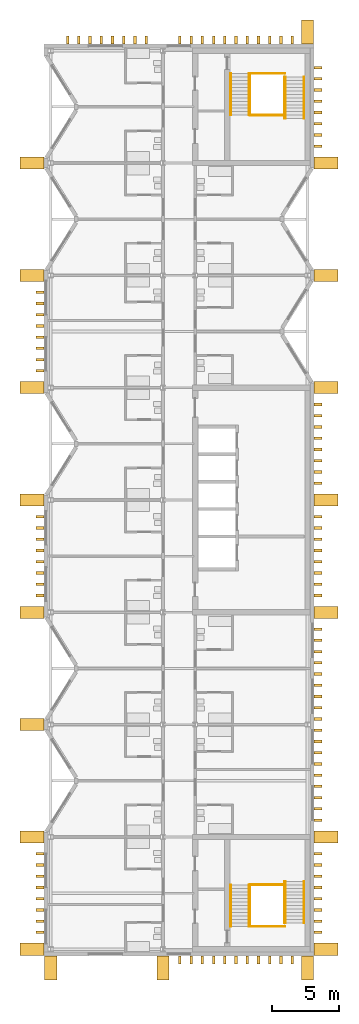
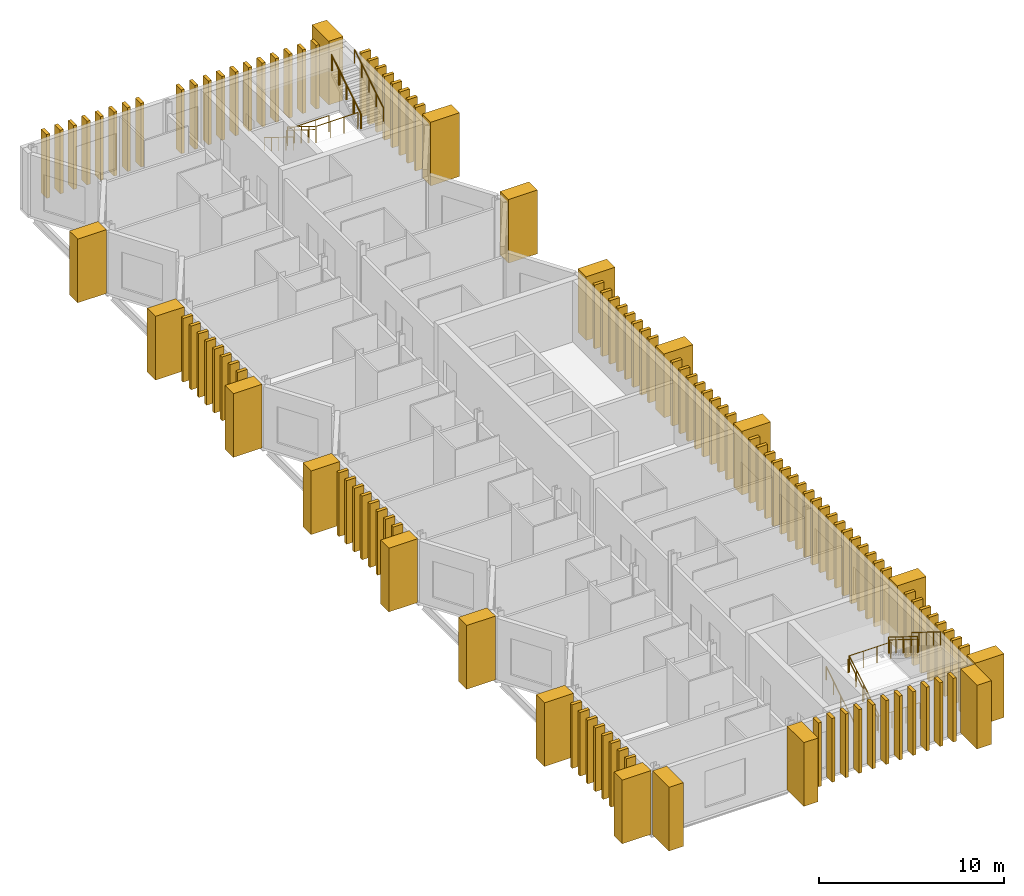
# One storey, part 10 of 11: 123 coverings, 16 railings.
"""IFC4 building model written with IfcOpenShell, lengths in metres."""

import ifcopenshell
import ifcopenshell.guid

model = None  # the IFC model being written
_history = None  # IfcOwnerHistory: only IFC2X3 demands one
_inside = {}  # id of a spatial element -> (the spatial element, [elements in it])
_under = {}  # id of a project, library or spatial element -> (it, [spatial elements below it])
_declared = {}  # id of a project -> (the project, [libraries it declares])
_typed = {}  # id of a type object -> (the type object, [elements of that type])
_made_of = {}  # id of a material, layer set ... -> (it, [elements and type objects made of it])


def new_model(schema):
    """Start an empty IFC model of exactly this schema.

    Asked for "IFC4X3", IfcOpenShell would pick the latest addendum, in which some entities
    have other attributes; the version numbers below select the first issue.
    IFC2X3 requires an IfcOwnerHistory on every rooted entity: one is made here for all.
    """
    global model, _history
    if schema == "IFC4X3":
        model = ifcopenshell.file(schema_version=(4, 3, 0, 0))
    else:
        model = ifcopenshell.file(schema=schema)
    _inside.clear()
    _under.clear()
    _declared.clear()
    _typed.clear()
    _made_of.clear()
    _history = None
    if model.schema == "IFC2X3":
        org = make("IfcOrganization", Name="unknown")
        user = make(
            "IfcPersonAndOrganization",
            ThePerson=make("IfcPerson", FamilyName="unknown"),
            TheOrganization=org,
        )
        app = make(
            "IfcApplication",
            ApplicationDeveloper=org,
            Version="unknown",
            ApplicationFullName="unknown",
            ApplicationIdentifier="unknown",
        )
        _history = make(
            "IfcOwnerHistory",
            OwningUser=user,
            OwningApplication=app,
            ChangeAction="ADDED",
            CreationDate=0,
        )
    return model


def make(cls, **values):
    """One entity of the class cls with the attributes given. An attribute that is None is left unset."""
    return model.create_entity(
        cls, **{name: value for name, value in values.items() if value is not None}
    )


def rooted(cls, **values):
    """An entity with a GlobalId (a new one), such as an element, a storey or a relation."""
    return make(cls, GlobalId=ifcopenshell.guid.new(), OwnerHistory=_history, **values)


def si_unit(unit_type, name, prefix=None):
    """IfcSIUnit, for example si_unit("LENGTHUNIT", "METRE", prefix="MILLI")."""
    return make("IfcSIUnit", UnitType=unit_type, Prefix=prefix, Name=name)


def assignment(units):
    """IfcUnitAssignment: the units of a project."""
    return None if units is None else make("IfcUnitAssignment", Units=units)


def point(xyz):
    """IfcCartesianPoint."""
    return None if xyz is None else make("IfcCartesianPoint", Coordinates=xyz)


def direction(xyz):
    """IfcDirection."""
    return None if xyz is None else make("IfcDirection", DirectionRatios=xyz)


def frame(location, z_axis=None, x_axis=None):
    """IfcAxis2Placement3D, a coordinate frame: its origin and axes. An axis left out is left unset."""
    return make(
        "IfcAxis2Placement3D",
        Location=point(location),
        Axis=direction(z_axis),
        RefDirection=direction(x_axis),
    )


def frame_2d(location, x_axis=None):
    """IfcAxis2Placement2D, a coordinate frame in the plane: its origin and x axis."""
    return make(
        "IfcAxis2Placement2D", Location=point(location), RefDirection=direction(x_axis)
    )


def origin():
    """The frame at (0, 0, 0) with its axes left unset."""
    return frame((0.0, 0.0, 0.0))


def origin_2d():
    """The frame at (0, 0) in the plane with its x axis left unset."""
    return frame_2d((0.0, 0.0))


def place(relative_to, where):
    """IfcLocalPlacement: puts the frame where relative to a parent placement (None: the world)."""
    return make(
        "IfcLocalPlacement", PlacementRelTo=relative_to, RelativePlacement=where
    )


def context(
    kind, dimensions, precision=None, world=None, true_north=None, identifier=None
):
    """IfcGeometricRepresentationContext, for example the 3D "Model" context."""
    return make(
        "IfcGeometricRepresentationContext",
        ContextIdentifier=identifier,
        ContextType=kind,
        CoordinateSpaceDimension=dimensions,
        Precision=precision,
        WorldCoordinateSystem=world,
        TrueNorth=true_north,
    )


def subcontext(parent, identifier, kind, view, scale=None):
    """IfcGeometricRepresentationSubContext, for example "Body" below "Model"."""
    return make(
        "IfcGeometricRepresentationSubContext",
        ContextIdentifier=identifier,
        ContextType=kind,
        ParentContext=parent,
        TargetScale=scale,
        TargetView=view,
    )


def project(units=None, contexts=None):
    """IfcProject with its units and contexts."""
    return rooted(
        "IfcProject",
        Name="project",
        RepresentationContexts=contexts,
        UnitsInContext=assignment(units),
    )


def spatial(cls, under=None, at=None, **own):
    """A site, building, storey or space (cls), placed at a placement, below another one or the project."""
    s = rooted(cls, ObjectPlacement=at, **own)
    if under is not None:
        _under.setdefault(under.id(), (under, []))[1].append(s)
    return s


def profile(cls, at=None, kind="AREA", **sizes):
    """A parametric profile (cls). Its sizes go by their IFC names, for example OverallWidth=200.0."""
    return make(cls, ProfileType=kind, Position=at, **sizes)


def rectangle(**sizes):
    """IfcRectangleProfileDef."""
    return profile("IfcRectangleProfileDef", **sizes)


def circle(**sizes):
    """IfcCircleProfileDef."""
    return profile("IfcCircleProfileDef", **sizes)


def extrude(swept, where, along, depth):
    """IfcExtrudedAreaSolid: the profile swept, set in the frame where, extruded along a direction by depth."""
    return make(
        "IfcExtrudedAreaSolid",
        SweptArea=swept,
        Position=where,
        ExtrudedDirection=direction(along),
        Depth=depth,
    )


def shape(context_of_items, identifier, shape_type, items):
    """IfcShapeRepresentation: the items that make up one representation, for example the "Body"."""
    return make(
        "IfcShapeRepresentation",
        ContextOfItems=context_of_items,
        RepresentationIdentifier=identifier,
        RepresentationType=shape_type,
        Items=items,
    )


def material(Name=None, Category=None):
    """IfcMaterial."""
    return make("IfcMaterial", Name=Name, Category=Category)


def made_of(thing, what):
    """Note that an element or type object is made of a material, layer set ...; save() writes the relation."""
    if what is not None:
        _made_of.setdefault(what.id(), (what, []))[1].append(thing)
    return thing


def type_object(cls, material=None, **own):
    """A type object (cls), such as IfcWallType, which elements share."""
    return made_of(rooted(cls, **own), material)


def element(
    cls,
    number,
    at=None,
    inside=None,
    cuts=None,
    type_object=None,
    material=None,
    context=None,
    identifier="Body",
    shape_type=None,
    held_by="IfcProductDefinitionShape",
    body=None,
    shapes=None,
    **own,
):
    """One element of the class cls, such as IfcWall. Its Tag is "e" and its number.

    at: its placement. inside: the storey or other place that contains it. cuts: it is an
    opening in that element (IfcRelVoidsElement). A single representation is given by context,
    identifier, shape_type and body (its items); several are given by shapes. held_by: the class
    of the entity that holds the representations. save() writes the other relations.
    """
    e = rooted(cls, Tag="e%d" % number, ObjectPlacement=at, **own)
    if body is not None:
        shapes = [shape(context, identifier, shape_type, body)]
    if shapes is not None:
        e.Representation = make(held_by, Representations=shapes)
    if inside is not None:
        _inside.setdefault(inside.id(), (inside, []))[1].append(e)
    if cuts is not None:
        rooted(
            "IfcRelVoidsElement", RelatingBuildingElement=cuts, RelatedOpeningElement=e
        )
    if type_object is not None:
        _typed.setdefault(type_object.id(), (type_object, []))[1].append(e)
    return made_of(e, material)


def aggregate(whole, parts):
    """IfcRelAggregates: a whole, such as a stair, and the parts it consists of."""
    return rooted("IfcRelAggregates", RelatingObject=whole, RelatedObjects=parts)


def save(model, path):
    """Write the relations noted so far, then the file.

    IfcRelAggregates (storeys below a building ...), IfcRelContainedInSpatialStructure (elements
    in a storey), IfcRelDefinesByType, IfcRelAssociatesMaterial and IfcRelDeclares: one each for
    every whole, place, type object, material and project.
    """
    for whole, parts in _under.values():
        aggregate(whole, parts)
    for where, things in _inside.values():
        rooted(
            "IfcRelContainedInSpatialStructure",
            RelatedElements=things,
            RelatingStructure=where,
        )
    for kind, things in _typed.values():
        rooted("IfcRelDefinesByType", RelatedObjects=things, RelatingType=kind)
    for what, things in _made_of.values():
        rooted("IfcRelAssociatesMaterial", RelatedObjects=things, RelatingMaterial=what)
    for by, libraries in _declared.values():
        rooted("IfcRelDeclares", RelatingContext=by, RelatedDefinitions=libraries)
    model.write(path)


model = new_model("IFC4")

# Units and contexts
model_context = context("Model", 3, precision=1e-05, world=origin(), true_north=direction((0.0, 1.0)))
body_context = subcontext(model_context, "Body", "Model", "MODEL_VIEW")
ifc_project = project(units=[si_unit("LENGTHUNIT", "METRE"), si_unit("AREAUNIT", "SQUARE_METRE"), si_unit("VOLUMEUNIT", "CUBIC_METRE"), si_unit("PLANEANGLEUNIT", "RADIAN"), si_unit("MASSUNIT", "GRAM", prefix="KILO")], contexts=[model_context])

# Site, building, storey
site_placement = place(None, origin())
site = spatial("IfcSite", under=ifc_project, at=site_placement, CompositionType="ELEMENT")
building_placement = place(site_placement, origin())
building = spatial("IfcBuilding", under=site, at=building_placement, Name="Cresset Court Congress Hotel", CompositionType="ELEMENT")
storey_placement = place(building_placement, frame((0.0, 0.0, 43.800048828125)))
storey = spatial("IfcBuildingStorey", under=building, at=storey_placement, Name="L10", CompositionType="ELEMENT", Elevation=43.800048828125)

# Coverings
ifc_material_1 = material(Name="Precast concrete C50", Category="concrete")
covering_type_1 = type_object("IfcCoveringType", Name="Precast stone fin 200x600", PredefinedType="CLADDING", material=ifc_material_1)
for number, where, z_axis, x_axis, name in (
    (1, (177.199951171875, 1.260009765625, 0.0), (0.0, 0.0, 1.0), (1.0, 0.0, 0.0), "Fin E002"),
    (2, (177.199951171875, 2.10009765625, 0.0), (0.0, 0.0, 1.0), (1.0, 0.0, 0.0), "Fin E003"),
    (3, (177.199951171875, 2.93994140625, 0.0), (0.0, 0.0, 1.0), (1.0, 0.0, 0.0), "Fin E004"),
    (4, (177.199951171875, 3.780029296875, 0.0), (0.0, 0.0, 1.0), (1.0, 0.0, 0.0), "Fin E005"),
    (5, (177.199951171875, 4.6201171875, 0.0), (0.0, 0.0, 1.0), (1.0, 0.0, 0.0), "Fin E006"),
    (6, (177.199951171875, 5.4599609375, 0.0), (0.0, 0.0, 1.0), (1.0, 0.0, 0.0), "Fin E007"),
    (7, (177.199951171875, 6.300048828125, 0.0), (0.0, 0.0, 1.0), (1.0, 0.0, 0.0), "Fin E008"),
    (8, (177.199951171875, 7.139892578125, 0.0), (0.0, 0.0, 1.0), (1.0, 0.0, 0.0), "Fin E009"),
    (9, (177.199951171875, 9.659912109375, 0.0), (0.0, 0.0, 1.0), (1.0, 0.0, 0.0), "Fin E012"),
    (10, (177.199951171875, 10.5, 0.0), (0.0, 0.0, 1.0), (1.0, 0.0, 0.0), "Fin E013"),
    (11, (177.199951171875, 11.340087890625, 0.0), (0.0, 0.0, 1.0), (1.0, 0.0, 0.0), "Fin E014"),
    (12, (177.199951171875, 12.179931640625, 0.0), (0.0, 0.0, 1.0), (1.0, 0.0, 0.0), "Fin E015"),
    (13, (177.199951171875, 13.02001953125, 0.0), (0.0, 0.0, 1.0), (1.0, 0.0, 0.0), "Fin E016"),
    (14, (177.199951171875, 13.860107421875, 0.0), (0.0, 0.0, 1.0), (1.0, 0.0, 0.0), "Fin E017"),
    (15, (177.199951171875, 14.699951171875, 0.0), (0.0, 0.0, 1.0), (1.0, 0.0, 0.0), "Fin E018"),
    (16, (177.199951171875, 15.5400390625, 0.0), (0.0, 0.0, 1.0), (1.0, 0.0, 0.0), "Fin E019"),
    (17, (177.199951171875, 16.3798828125, 0.0), (0.0, 0.0, 1.0), (1.0, 0.0, 0.0), "Fin E020"),
    (18, (177.199951171875, 17.219970703125, 0.0), (0.0, 0.0, 1.0), (1.0, 0.0, 0.0), "Fin E021"),
    (19, (177.199951171875, 18.06005859375, 0.0), (0.0, 0.0, 1.0), (1.0, 0.0, 0.0), "Fin E022"),
    (20, (177.199951171875, 18.89990234375, 0.0), (0.0, 0.0, 1.0), (1.0, 0.0, 0.0), "Fin E023"),
    (21, (177.199951171875, 19.739990234375, 0.0), (0.0, 0.0, 1.0), (1.0, 0.0, 0.0), "Fin E024"),
    (22, (177.199951171875, 20.580078125, 0.0), (0.0, 0.0, 1.0), (1.0, 0.0, 0.0), "Fin E025"),
    (23, (177.199951171875, 21.419921875, 0.0), (0.0, 0.0, 1.0), (1.0, 0.0, 0.0), "Fin E026"),
    (24, (177.199951171875, 22.260009765625, 0.0), (0.0, 0.0, 1.0), (1.0, 0.0, 0.0), "Fin E027"),
    (25, (177.199951171875, 23.10009765625, 0.0), (0.0, 0.0, 1.0), (1.0, 0.0, 0.0), "Fin E028"),
    (26, (177.199951171875, 23.93994140625, 0.0), (0.0, 0.0, 1.0), (1.0, 0.0, 0.0), "Fin E029"),
    (27, (177.199951171875, 26.4599609375, 0.0), (0.0, 0.0, 1.0), (1.0, 0.0, 0.0), "Fin E032"),
    (28, (177.199951171875, 27.300048828125, 0.0), (0.0, 0.0, 1.0), (1.0, 0.0, 0.0), "Fin E033"),
    (29, (177.199951171875, 28.139892578125, 0.0), (0.0, 0.0, 1.0), (1.0, 0.0, 0.0), "Fin E034"),
    (30, (177.199951171875, 28.97998046875, 0.0), (0.0, 0.0, 1.0), (1.0, 0.0, 0.0), "Fin E035"),
    (31, (177.199951171875, 29.820068359375, 0.0), (0.0, 0.0, 1.0), (1.0, 0.0, 0.0), "Fin E036"),
    (32, (177.199951171875, 30.659912109375, 0.0), (0.0, 0.0, 1.0), (1.0, 0.0, 0.0), "Fin E037"),
    (33, (177.199951171875, 31.5, 0.0), (0.0, 0.0, 1.0), (1.0, 0.0, 0.0), "Fin E038"),
    (34, (177.199951171875, 32.340087890625, 0.0), (0.0, 0.0, 1.0), (1.0, 0.0, 0.0), "Fin E039"),
    (35, (177.199951171875, 34.860107421875, 0.0), (0.0, 0.0, 1.0), (1.0, 0.0, 0.0), "Fin E042"),
    (36, (177.199951171875, 35.699951171875, 0.0), (0.0, 0.0, 1.0), (1.0, 0.0, 0.0), "Fin E043"),
    (37, (177.199951171875, 36.5400390625, 0.0), (0.0, 0.0, 1.0), (1.0, 0.0, 0.0), "Fin E044"),
    (38, (177.199951171875, 37.3798828125, 0.0), (0.0, 0.0, 1.0), (1.0, 0.0, 0.0), "Fin E045"),
    (39, (177.199951171875, 38.219970703125, 0.0), (0.0, 0.0, 1.0), (1.0, 0.0, 0.0), "Fin E046"),
    (40, (177.199951171875, 39.06005859375, 0.0), (0.0, 0.0, 1.0), (1.0, 0.0, 0.0), "Fin E047"),
    (41, (177.199951171875, 39.89990234375, 0.0), (0.0, 0.0, 1.0), (1.0, 0.0, 0.0), "Fin E048"),
    (42, (177.199951171875, 40.739990234375, 0.0), (0.0, 0.0, 1.0), (1.0, 0.0, 0.0), "Fin E049"),
    (43, (177.199951171875, 60.06005859375, 0.0), (0.0, 0.0, 1.0), (1.0, 0.0, 0.0), "Fin E072"),
    (44, (177.199951171875, 60.89990234375, 0.0), (0.0, 0.0, 1.0), (1.0, 0.0, 0.0), "Fin E073"),
    (45, (177.199951171875, 61.739990234375, 0.0), (0.0, 0.0, 1.0), (1.0, 0.0, 0.0), "Fin E074"),
    (46, (177.199951171875, 62.580078125, 0.0), (0.0, 0.0, 1.0), (1.0, 0.0, 0.0), "Fin E075"),
    (47, (177.199951171875, 63.419921875, 0.0), (0.0, 0.0, 1.0), (1.0, 0.0, 0.0), "Fin E076"),
    (48, (177.199951171875, 64.260009765625, 0.0), (0.0, 0.0, 1.0), (1.0, 0.0, 0.0), "Fin E077"),
    (49, (177.199951171875, 65.10009765625, 0.0), (0.0, 0.0, 1.0), (1.0, 0.0, 0.0), "Fin E078"),
    (50, (177.199951171875, 65.93994140625, 0.0), (0.0, 0.0, 1.0), (1.0, 0.0, 0.0), "Fin E079"),
    (51, (156.39990234375, 1.260009765625, 0.0), (0.0, 0.0, 1.0), (1.0, 0.0, 0.0), "Fin W002"),
    (52, (156.39990234375, 2.10009765625, 0.0), (0.0, 0.0, 1.0), (1.0, 0.0, 0.0), "Fin W003"),
    (53, (156.39990234375, 2.93994140625, 0.0), (0.0, 0.0, 1.0), (1.0, 0.0, 0.0), "Fin W004"),
    (54, (156.39990234375, 3.780029296875, 0.0), (0.0, 0.0, 1.0), (1.0, 0.0, 0.0), "Fin W005"),
    (55, (156.39990234375, 4.6201171875, 0.0), (0.0, 0.0, 1.0), (1.0, 0.0, 0.0), "Fin W006"),
    (56, (156.39990234375, 5.4599609375, 0.0), (0.0, 0.0, 1.0), (1.0, 0.0, 0.0), "Fin W007"),
    (57, (156.39990234375, 6.300048828125, 0.0), (0.0, 0.0, 1.0), (1.0, 0.0, 0.0), "Fin W008"),
    (58, (156.39990234375, 7.139892578125, 0.0), (0.0, 0.0, 1.0), (1.0, 0.0, 0.0), "Fin W009"),
    (59, (156.39990234375, 26.4599609375, 0.0), (0.0, 0.0, 1.0), (1.0, 0.0, 0.0), "Fin W032"),
    (60, (156.39990234375, 27.300048828125, 0.0), (0.0, 0.0, 1.0), (1.0, 0.0, 0.0), "Fin W033"),
    (61, (156.39990234375, 28.139892578125, 0.0), (0.0, 0.0, 1.0), (1.0, 0.0, 0.0), "Fin W034"),
    (62, (156.39990234375, 28.97998046875, 0.0), (0.0, 0.0, 1.0), (1.0, 0.0, 0.0), "Fin W035"),
    (63, (156.39990234375, 29.820068359375, 0.0), (0.0, 0.0, 1.0), (1.0, 0.0, 0.0), "Fin W036"),
    (64, (156.39990234375, 30.659912109375, 0.0), (0.0, 0.0, 1.0), (1.0, 0.0, 0.0), "Fin W037"),
    (65, (156.39990234375, 31.5, 0.0), (0.0, 0.0, 1.0), (1.0, 0.0, 0.0), "Fin W038"),
    (66, (156.39990234375, 32.340087890625, 0.0), (0.0, 0.0, 1.0), (1.0, 0.0, 0.0), "Fin W039"),
    (67, (156.39990234375, 43.260009765625, 0.0), (0.0, 0.0, 1.0), (1.0, 0.0, 0.0), "Fin W052"),
    (68, (156.39990234375, 44.10009765625, 0.0), (0.0, 0.0, 1.0), (1.0, 0.0, 0.0), "Fin W053"),
    (69, (156.39990234375, 44.93994140625, 0.0), (0.0, 0.0, 1.0), (1.0, 0.0, 0.0), "Fin W054"),
    (70, (156.39990234375, 45.780029296875, 0.0), (0.0, 0.0, 1.0), (1.0, 0.0, 0.0), "Fin W055"),
    (71, (156.39990234375, 46.6201171875, 0.0), (0.0, 0.0, 1.0), (1.0, 0.0, 0.0), "Fin W056"),
    (72, (156.39990234375, 47.4599609375, 0.0), (0.0, 0.0, 1.0), (1.0, 0.0, 0.0), "Fin W057"),
    (73, (156.39990234375, 48.300048828125, 0.0), (0.0, 0.0, 1.0), (1.0, 0.0, 0.0), "Fin W058"),
    (74, (156.39990234375, 49.139892578125, 0.0), (0.0, 0.0, 1.0), (1.0, 0.0, 0.0), "Fin W059"),
):
    element("IfcCovering", number, at=place(storey_placement, frame(where, z_axis=z_axis, x_axis=x_axis)), inside=storey, type_object=covering_type_1, Name=name, PredefinedType="CLADDING", context=body_context, shape_type="SweptSolid", body=[
        extrude(rectangle(XDim=0.60009765625, YDim=0.199951171875, at=origin_2d()), origin(), (0.0, 0.0, 1.0), 4.199951171875),
    ])
for number, where, z_axis, x_axis, name in (
    (75, (166.860107421875, -0.800048828125, 0.0), (0.0, 0.0, 1.0), (1.0, 0.0, 0.0), "Fin S012"),
    (76, (167.699951171875, -0.800048828125, 0.0), (0.0, 0.0, 1.0), (1.0, 0.0, 0.0), "Fin S013"),
    (77, (168.5400390625, -0.800048828125, 0.0), (0.0, 0.0, 1.0), (1.0, 0.0, 0.0), "Fin S014"),
    (78, (169.3798828125, -0.800048828125, 0.0), (0.0, 0.0, 1.0), (1.0, 0.0, 0.0), "Fin S015"),
    (79, (170.219970703125, -0.800048828125, 0.0), (0.0, 0.0, 1.0), (1.0, 0.0, 0.0), "Fin S016"),
    (80, (171.06005859375, -0.800048828125, 0.0), (0.0, 0.0, 1.0), (1.0, 0.0, 0.0), "Fin S017"),
    (81, (171.89990234375, -0.800048828125, 0.0), (0.0, 0.0, 1.0), (1.0, 0.0, 0.0), "Fin S018"),
    (82, (172.739990234375, -0.800048828125, 0.0), (0.0, 0.0, 1.0), (1.0, 0.0, 0.0), "Fin S019"),
    (83, (173.580078125, -0.800048828125, 0.0), (0.0, 0.0, 1.0), (1.0, 0.0, 0.0), "Fin S020"),
    (84, (174.419921875, -0.800048828125, 0.0), (0.0, 0.0, 1.0), (1.0, 0.0, 0.0), "Fin S021"),
    (85, (175.260009765625, -0.800048828125, 0.0), (0.0, 0.0, 1.0), (1.0, 0.0, 0.0), "Fin S022"),
    (86, (158.4599609375, 68.0, 0.0), (0.0, 0.0, 1.0), (1.0, 0.0, 0.0), "Fin N002"),
    (87, (159.300048828125, 68.0, 0.0), (0.0, 0.0, 1.0), (1.0, 0.0, 0.0), "Fin N003"),
    (88, (160.139892578125, 68.0, 0.0), (0.0, 0.0, 1.0), (1.0, 0.0, 0.0), "Fin N004"),
    (89, (160.97998046875, 68.0, 0.0), (0.0, 0.0, 1.0), (1.0, 0.0, 0.0), "Fin N005"),
    (90, (161.820068359375, 68.0, 0.0), (0.0, 0.0, 1.0), (1.0, 0.0, 0.0), "Fin N006"),
    (91, (162.659912109375, 68.0, 0.0), (0.0, 0.0, 1.0), (1.0, 0.0, 0.0), "Fin N007"),
    (92, (163.5, 68.0, 0.0), (0.0, 0.0, 1.0), (1.0, 0.0, 0.0), "Fin N008"),
    (93, (164.340087890625, 68.0, 0.0), (0.0, 0.0, 1.0), (1.0, 0.0, 0.0), "Fin N009"),
    (94, (166.860107421875, 68.0, 0.0), (0.0, 0.0, 1.0), (1.0, 0.0, 0.0), "Fin N012"),
    (95, (167.699951171875, 68.0, 0.0), (0.0, 0.0, 1.0), (1.0, 0.0, 0.0), "Fin N013"),
    (96, (168.5400390625, 68.0, 0.0), (0.0, 0.0, 1.0), (1.0, 0.0, 0.0), "Fin N014"),
    (97, (169.3798828125, 68.0, 0.0), (0.0, 0.0, 1.0), (1.0, 0.0, 0.0), "Fin N015"),
    (98, (170.219970703125, 68.0, 0.0), (0.0, 0.0, 1.0), (1.0, 0.0, 0.0), "Fin N016"),
    (99, (171.06005859375, 68.0, 0.0), (0.0, 0.0, 1.0), (1.0, 0.0, 0.0), "Fin N017"),
    (100, (171.89990234375, 68.0, 0.0), (0.0, 0.0, 1.0), (1.0, 0.0, 0.0), "Fin N018"),
    (101, (172.739990234375, 68.0, 0.0), (0.0, 0.0, 1.0), (1.0, 0.0, 0.0), "Fin N019"),
    (102, (173.580078125, 68.0, 0.0), (0.0, 0.0, 1.0), (1.0, 0.0, 0.0), "Fin N020"),
    (103, (174.419921875, 68.0, 0.0), (0.0, 0.0, 1.0), (1.0, 0.0, 0.0), "Fin N021"),
    (104, (175.260009765625, 68.0, 0.0), (0.0, 0.0, 1.0), (1.0, 0.0, 0.0), "Fin N022"),
):
    element("IfcCovering", number, at=place(storey_placement, frame(where, z_axis=z_axis, x_axis=x_axis)), inside=storey, type_object=covering_type_1, Name=name, PredefinedType="CLADDING", context=body_context, shape_type="SweptSolid", body=[
        extrude(rectangle(XDim=0.199951171875, YDim=0.60009765625, at=origin_2d()), origin(), (0.0, 0.0, 1.0), 4.199951171875),
    ])
ifc_material_2 = material(Name="Precast concrete C50", Category="concrete")
covering_type_2 = type_object("IfcCoveringType", Name="Precast stone pier 900x1800", PredefinedType="CLADDING", material=ifc_material_2)
for number, where, z_axis, x_axis, name in (
    (105, (177.800048828125, 0.0, 0.0), (0.0, 0.0, 1.0), (1.0, 0.0, 0.0), "Pier E01"),
    (106, (177.800048828125, 8.39990234375, 0.0), (0.0, 0.0, 1.0), (1.0, 0.0, 0.0), "Pier E02"),
    (107, (177.800048828125, 25.199951171875, 0.0), (0.0, 0.0, 1.0), (1.0, 0.0, 0.0), "Pier E03"),
    (108, (177.800048828125, 33.60009765625, 0.0), (0.0, 0.0, 1.0), (1.0, 0.0, 0.0), "Pier E04"),
    (109, (177.800048828125, 42.0, 0.0), (0.0, 0.0, 1.0), (1.0, 0.0, 0.0), "Pier E05"),
    (110, (177.800048828125, 50.39990234375, 0.0), (0.0, 0.0, 1.0), (1.0, 0.0, 0.0), "Pier E06"),
    (111, (177.800048828125, 58.800048828125, 0.0), (0.0, 0.0, 1.0), (1.0, 0.0, 0.0), "Pier E07"),
    (112, (155.800048828125, 0.0, 0.0), (0.0, 0.0, 1.0), (1.0, 0.0, 0.0), "Pier W01"),
    (113, (155.800048828125, 8.39990234375, 0.0), (0.0, 0.0, 1.0), (1.0, 0.0, 0.0), "Pier W02"),
    (114, (155.800048828125, 16.800048828125, 0.0), (0.0, 0.0, 1.0), (1.0, 0.0, 0.0), "Pier W03"),
    (115, (155.800048828125, 25.199951171875, 0.0), (0.0, 0.0, 1.0), (1.0, 0.0, 0.0), "Pier W04"),
    (116, (155.800048828125, 33.60009765625, 0.0), (0.0, 0.0, 1.0), (1.0, 0.0, 0.0), "Pier W05"),
    (117, (155.800048828125, 42.0, 0.0), (0.0, 0.0, 1.0), (1.0, 0.0, 0.0), "Pier W06"),
    (118, (155.800048828125, 50.39990234375, 0.0), (0.0, 0.0, 1.0), (1.0, 0.0, 0.0), "Pier W07"),
    (119, (155.800048828125, 58.800048828125, 0.0), (0.0, 0.0, 1.0), (1.0, 0.0, 0.0), "Pier W08"),
):
    element("IfcCovering", number, at=place(storey_placement, frame(where, z_axis=z_axis, x_axis=x_axis)), inside=storey, type_object=covering_type_2, Name=name, PredefinedType="CLADDING", context=body_context, shape_type="SweptSolid", body=[
        extrude(rectangle(XDim=1.800048828125, YDim=0.89990234375, at=origin_2d()), origin(), (0.0, 0.0, 1.0), 4.199951171875),
    ])
for number, where, z_axis, x_axis, name in (
    (120, (157.199951171875, -1.39990234375, 0.0), (0.0, 0.0, 1.0), (1.0, 0.0, 0.0), "Pier S01"),
    (121, (165.60009765625, -1.39990234375, 0.0), (0.0, 0.0, 1.0), (1.0, 0.0, 0.0), "Pier S02"),
    (122, (176.39990234375, -1.39990234375, 0.0), (0.0, 0.0, 1.0), (1.0, 0.0, 0.0), "Pier S03"),
    (123, (176.39990234375, 68.60009765625, 0.0), (0.0, 0.0, 1.0), (1.0, 0.0, 0.0), "Pier N03"),
):
    element("IfcCovering", number, at=place(storey_placement, frame(where, z_axis=z_axis, x_axis=x_axis)), inside=storey, type_object=covering_type_2, Name=name, PredefinedType="CLADDING", context=body_context, shape_type="SweptSolid", body=[
        extrude(rectangle(XDim=0.89990234375, YDim=1.800048828125, at=origin_2d()), origin(), (0.0, 0.0, 1.0), 4.199951171875),
    ])

# Railings
ifc_material_3 = material(Name="Stainless steel", Category="steel")
railing_type_1 = type_object("IfcRailingType", Name="Stair guard 1100", PredefinedType="GUARDRAIL", material=ifc_material_3)
railing_1_placement = place(storey_placement, frame((172.10009765625, 1.699951171875, 0.161376953125)))
element("IfcRailing", 124, at=railing_1_placement, inside=storey, type_object=railing_type_1, Name="Guard A1 L10", PredefinedType="GUARDRAIL", context=body_context, shape_type="SweptSolid", body=[
    extrude(circle(Radius=0.02392578125, at=origin_2d()), frame((0.0, 0.0, 1.076171875), z_axis=(0.0, 0.849414166554, 0.527726798313), x_axis=(-1.0, 0.0, 0.0)), (0.0, 0.0, 1.0), 3.67333984375),
    extrude(circle(Radius=0.02099609375, at=origin_2d()), origin(), (0.0, 0.0, 1.0), 1.052001953125),
    extrude(circle(Radius=0.02099609375, at=origin_2d()), frame((0.0, 0.780029296875, 0.484619140625)), (0.0, 0.0, 1.0), 1.052001953125),
    extrude(circle(Radius=0.02099609375, at=origin_2d()), frame((0.0, 1.56005859375, 0.96923828125)), (0.0, 0.0, 1.0), 1.052001953125),
    extrude(circle(Radius=0.02099609375, at=origin_2d()), frame((0.0, 2.340087890625, 1.453857421875)), (0.0, 0.0, 1.0), 1.052001953125),
    extrude(circle(Radius=0.02099609375, at=origin_2d()), frame((0.0, 3.1201171875, 1.9384765625)), (0.0, 0.0, 1.0), 1.052001953125),
])
railing_2_placement = place(storey_placement, frame((174.699951171875, 5.080078125, 2.261474609375)))
element("IfcRailing", 125, at=railing_2_placement, inside=storey, type_object=railing_type_1, Name="Guard A1 L10", PredefinedType="GUARDRAIL", context=body_context, shape_type="SweptSolid", body=[
    extrude(circle(Radius=0.02392578125, at=origin_2d()), frame((0.0, 0.0, 1.076171875), z_axis=(0.0, -0.849414166554, 0.527726798313), x_axis=(1.0, 0.0, 0.0)), (0.0, 0.0, 1.0), 3.67333984375),
    extrude(circle(Radius=0.02099609375, at=origin_2d()), origin(), (0.0, 0.0, 1.0), 1.052001953125),
    extrude(circle(Radius=0.02099609375, at=origin_2d()), frame((0.0, -0.780029296875, 0.484619140625)), (0.0, 0.0, 1.0), 1.052001953125),
    extrude(circle(Radius=0.02099609375, at=origin_2d()), frame((0.0, -1.56005859375, 0.96923828125)), (0.0, 0.0, 1.0), 1.052001953125),
    extrude(circle(Radius=0.02099609375, at=origin_2d()), frame((0.0, -2.340087890625, 1.453857421875)), (0.0, 0.0, 1.0), 1.052001953125),
    extrude(circle(Radius=0.02099609375, at=origin_2d()), frame((0.0, -3.1201171875, 1.9384765625)), (0.0, 0.0, 1.0), 1.052001953125),
])
for number, where, name in (
    (126, (172.10009765625, 1.699951171875, 0.0), "Guard A1 L10"),
    (127, (172.10009765625, 4.820068359375, 2.099853515625), "Guard A1 L10"),
):
    element("IfcRailing", number, at=place(storey_placement, frame(where)), inside=storey, type_object=railing_type_1, Name=name, PredefinedType="GUARDRAIL", context=body_context, shape_type="SweptSolid", body=[
        extrude(circle(Radius=0.02392578125, at=origin_2d()), frame((0.0, 0.0, 1.076171875), z_axis=(1.0, 0.0, 0.0), x_axis=(0.0, 1.0, 0.0)), (0.0, 0.0, 1.0), 2.599853515625),
        extrude(circle(Radius=0.02099609375, at=origin_2d()), origin(), (0.0, 0.0, 1.0), 1.052001953125),
        extrude(circle(Radius=0.02099609375, at=origin_2d()), frame((0.86669921875, 0.0, 0.0)), (0.0, 0.0, 1.0), 1.052001953125),
        extrude(circle(Radius=0.02099609375, at=origin_2d()), frame((1.733154296875, 0.0, 0.0)), (0.0, 0.0, 1.0), 1.052001953125),
        extrude(circle(Radius=0.02099609375, at=origin_2d()), frame((2.599853515625, 0.0, 0.0)), (0.0, 0.0, 1.0), 1.052001953125),
    ])
railing_3_placement = place(storey_placement, frame((172.10009765625, 65.5, 0.161376953125)))
element("IfcRailing", 128, at=railing_3_placement, inside=storey, type_object=railing_type_1, Name="Guard A2 L10", PredefinedType="GUARDRAIL", context=body_context, shape_type="SweptSolid", body=[
    extrude(circle(Radius=0.02392578125, at=origin_2d()), frame((0.0, 0.0, 1.076171875), z_axis=(0.0, -0.849414166554, 0.527726798313), x_axis=(1.0, 0.0, 0.0)), (0.0, 0.0, 1.0), 3.67333984375),
    extrude(circle(Radius=0.02099609375, at=origin_2d()), origin(), (0.0, 0.0, 1.0), 1.052001953125),
    extrude(circle(Radius=0.02099609375, at=origin_2d()), frame((0.0, -0.780029296875, 0.484619140625)), (0.0, 0.0, 1.0), 1.052001953125),
    extrude(circle(Radius=0.02099609375, at=origin_2d()), frame((0.0, -1.56005859375, 0.96923828125)), (0.0, 0.0, 1.0), 1.052001953125),
    extrude(circle(Radius=0.02099609375, at=origin_2d()), frame((0.0, -2.340087890625, 1.453857421875)), (0.0, 0.0, 1.0), 1.052001953125),
    extrude(circle(Radius=0.02099609375, at=origin_2d()), frame((0.0, -3.1201171875, 1.9384765625)), (0.0, 0.0, 1.0), 1.052001953125),
])
railing_4_placement = place(storey_placement, frame((174.699951171875, 62.1201171875, 2.261474609375)))
element("IfcRailing", 129, at=railing_4_placement, inside=storey, type_object=railing_type_1, Name="Guard A2 L10", PredefinedType="GUARDRAIL", context=body_context, shape_type="SweptSolid", body=[
    extrude(circle(Radius=0.02392578125, at=origin_2d()), frame((0.0, 0.0, 1.076171875), z_axis=(0.0, 0.849395654964, 0.52775659288), x_axis=(-1.0, 0.0, 0.0)), (0.0, 0.0, 1.0), 3.673095703125),
    extrude(circle(Radius=0.02099609375, at=origin_2d()), origin(), (0.0, 0.0, 1.0), 1.052001953125),
    extrude(circle(Radius=0.02099609375, at=origin_2d()), frame((0.0, 0.780029296875, 0.484619140625)), (0.0, 0.0, 1.0), 1.052001953125),
    extrude(circle(Radius=0.02099609375, at=origin_2d()), frame((0.0, 1.56005859375, 0.96923828125)), (0.0, 0.0, 1.0), 1.052001953125),
    extrude(circle(Radius=0.02099609375, at=origin_2d()), frame((0.0, 2.33984375, 1.453857421875)), (0.0, 0.0, 1.0), 1.052001953125),
    extrude(circle(Radius=0.02099609375, at=origin_2d()), frame((0.0, 3.119873046875, 1.9384765625)), (0.0, 0.0, 1.0), 1.052001953125),
])
for number, where, name in (
    (130, (172.10009765625, 65.5, 0.0), "Guard A2 L10"),
    (131, (172.10009765625, 62.3798828125, 2.099853515625), "Guard A2 L10"),
):
    element("IfcRailing", number, at=place(storey_placement, frame(where)), inside=storey, type_object=railing_type_1, Name=name, PredefinedType="GUARDRAIL", context=body_context, shape_type="SweptSolid", body=[
        extrude(circle(Radius=0.02392578125, at=origin_2d()), frame((0.0, 0.0, 1.076171875), z_axis=(1.0, 0.0, 0.0), x_axis=(0.0, 1.0, 0.0)), (0.0, 0.0, 1.0), 2.599853515625),
        extrude(circle(Radius=0.02099609375, at=origin_2d()), origin(), (0.0, 0.0, 1.0), 1.052001953125),
        extrude(circle(Radius=0.02099609375, at=origin_2d()), frame((0.86669921875, 0.0, 0.0)), (0.0, 0.0, 1.0), 1.052001953125),
        extrude(circle(Radius=0.02099609375, at=origin_2d()), frame((1.733154296875, 0.0, 0.0)), (0.0, 0.0, 1.0), 1.052001953125),
        extrude(circle(Radius=0.02099609375, at=origin_2d()), frame((2.599853515625, 0.0, 0.0)), (0.0, 0.0, 1.0), 1.052001953125),
    ])
ifc_material_4 = material(Name="Stainless steel", Category="steel")
railing_type_2 = type_object("IfcRailingType", Name="Stair handrail 900", PredefinedType="HANDRAIL", material=ifc_material_4)
for number, where, name in (
    (132, (170.659912109375, 1.699951171875, 0.161376953125), "Handrail A1 L10"),
    (133, (172.0400390625, 1.699951171875, 0.161376953125), "Handrail A1 L10"),
):
    element("IfcRailing", number, at=place(storey_placement, frame(where)), inside=storey, type_object=railing_type_2, Name=name, PredefinedType="HANDRAIL", context=body_context, shape_type="SweptSolid", body=[
        extrude(circle(Radius=0.02392578125, at=origin_2d()), frame((0.0, 0.0, 0.8759765625), z_axis=(0.0, 0.849414166554, 0.527726798313), x_axis=(-1.0, 0.0, 0.0)), (0.0, 0.0, 1.0), 3.67333984375),
        extrude(circle(Radius=0.02099609375, at=origin_2d()), origin(), (0.0, 0.0, 1.0), 0.851806640625),
        extrude(circle(Radius=0.02099609375, at=origin_2d()), frame((0.0, 0.780029296875, 0.484619140625)), (0.0, 0.0, 1.0), 0.851806640625),
        extrude(circle(Radius=0.02099609375, at=origin_2d()), frame((0.0, 1.56005859375, 0.96923828125)), (0.0, 0.0, 1.0), 0.851806640625),
        extrude(circle(Radius=0.02099609375, at=origin_2d()), frame((0.0, 2.340087890625, 1.453857421875)), (0.0, 0.0, 1.0), 0.851806640625),
        extrude(circle(Radius=0.02099609375, at=origin_2d()), frame((0.0, 3.1201171875, 1.9384765625)), (0.0, 0.0, 1.0), 0.851806640625),
    ])
for number, where, name in (
    (134, (174.760009765625, 5.080078125, 2.261474609375), "Handrail A1 L10"),
    (135, (176.139892578125, 5.080078125, 2.261474609375), "Handrail A1 L10"),
    (136, (170.659912109375, 65.5, 0.161376953125), "Handrail A2 L10"),
    (137, (172.0400390625, 65.5, 0.161376953125), "Handrail A2 L10"),
):
    element("IfcRailing", number, at=place(storey_placement, frame(where)), inside=storey, type_object=railing_type_2, Name=name, PredefinedType="HANDRAIL", context=body_context, shape_type="SweptSolid", body=[
        extrude(circle(Radius=0.02392578125, at=origin_2d()), frame((0.0, 0.0, 0.8759765625), z_axis=(0.0, -0.849414166554, 0.527726798313), x_axis=(1.0, 0.0, 0.0)), (0.0, 0.0, 1.0), 3.67333984375),
        extrude(circle(Radius=0.02099609375, at=origin_2d()), origin(), (0.0, 0.0, 1.0), 0.851806640625),
        extrude(circle(Radius=0.02099609375, at=origin_2d()), frame((0.0, -0.780029296875, 0.484619140625)), (0.0, 0.0, 1.0), 0.851806640625),
        extrude(circle(Radius=0.02099609375, at=origin_2d()), frame((0.0, -1.56005859375, 0.96923828125)), (0.0, 0.0, 1.0), 0.851806640625),
        extrude(circle(Radius=0.02099609375, at=origin_2d()), frame((0.0, -2.340087890625, 1.453857421875)), (0.0, 0.0, 1.0), 0.851806640625),
        extrude(circle(Radius=0.02099609375, at=origin_2d()), frame((0.0, -3.1201171875, 1.9384765625)), (0.0, 0.0, 1.0), 0.851806640625),
    ])
for number, where, name in (
    (138, (174.760009765625, 62.1201171875, 2.261474609375), "Handrail A2 L10"),
    (139, (176.139892578125, 62.1201171875, 2.261474609375), "Handrail A2 L10"),
):
    element("IfcRailing", number, at=place(storey_placement, frame(where)), inside=storey, type_object=railing_type_2, Name=name, PredefinedType="HANDRAIL", context=body_context, shape_type="SweptSolid", body=[
        extrude(circle(Radius=0.02392578125, at=origin_2d()), frame((0.0, 0.0, 0.8759765625), z_axis=(0.0, 0.849395654964, 0.52775659288), x_axis=(-1.0, 0.0, 0.0)), (0.0, 0.0, 1.0), 3.673095703125),
        extrude(circle(Radius=0.02099609375, at=origin_2d()), origin(), (0.0, 0.0, 1.0), 0.851806640625),
        extrude(circle(Radius=0.02099609375, at=origin_2d()), frame((0.0, 0.780029296875, 0.484619140625)), (0.0, 0.0, 1.0), 0.851806640625),
        extrude(circle(Radius=0.02099609375, at=origin_2d()), frame((0.0, 1.56005859375, 0.96923828125)), (0.0, 0.0, 1.0), 0.851806640625),
        extrude(circle(Radius=0.02099609375, at=origin_2d()), frame((0.0, 2.33984375, 1.453857421875)), (0.0, 0.0, 1.0), 0.851806640625),
        extrude(circle(Radius=0.02099609375, at=origin_2d()), frame((0.0, 3.119873046875, 1.9384765625)), (0.0, 0.0, 1.0), 0.851806640625),
    ])

save(model, "model.ifc")
